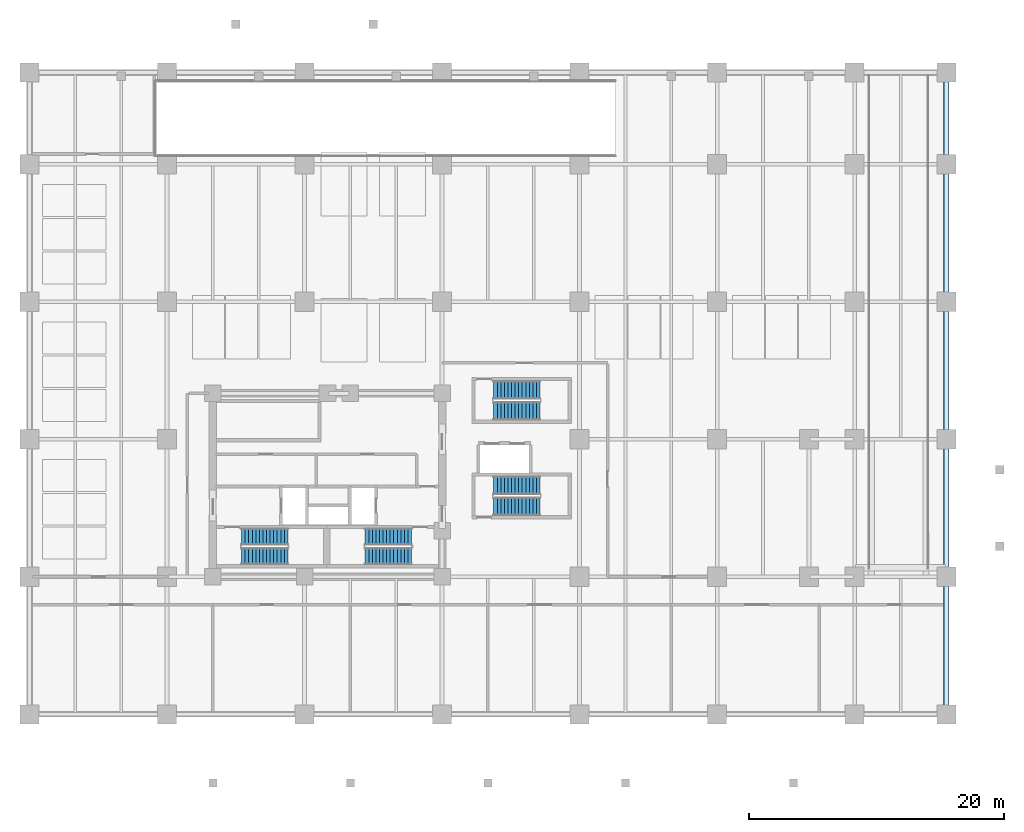
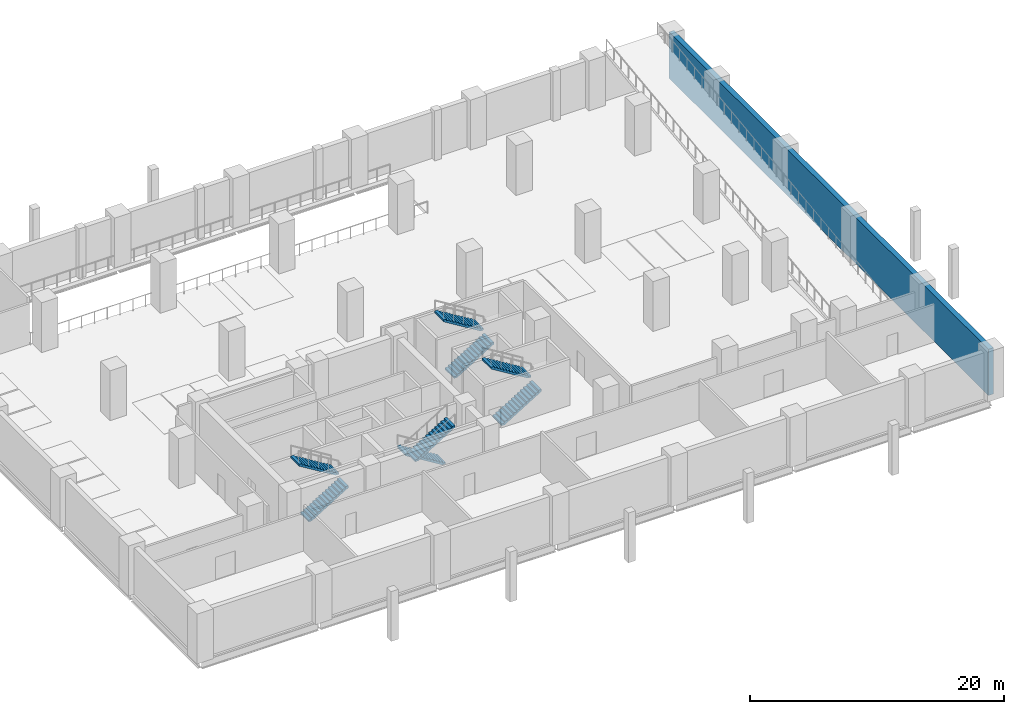
# One storey, part 5 of 8: 8 stair flights, 1 wall, 4 elements without a shape of their own.
"""IFC4 building model written with IfcOpenShell, lengths in metres."""

from ifc_helpers import new_model, si_unit, direction, frame, frame_2d, origin, place, context, subcontext, project, spatial, polyline, rectangle, outline, extrude, material, layer, layer_set, type_object, element, aggregate, save


model = new_model("IFC4")

# Units and contexts
model_context = context("Model", 3, precision=1e-05, world=origin(), true_north=direction((0.0, 1.0)))
body_context = subcontext(model_context, "Body", "Model", "MODEL_VIEW")
ifc_project = project(units=[si_unit("LENGTHUNIT", "METRE"), si_unit("AREAUNIT", "SQUARE_METRE"), si_unit("VOLUMEUNIT", "CUBIC_METRE"), si_unit("PLANEANGLEUNIT", "RADIAN"), si_unit("MASSUNIT", "GRAM", prefix="KILO")], contexts=[model_context])

# Site, building, storey
site_placement = place(None, origin())
site = spatial("IfcSite", under=ifc_project, at=site_placement, CompositionType="ELEMENT")
building_placement = place(site_placement, origin())
building = spatial("IfcBuilding", under=site, at=building_placement, Name="Solnavia Interchange Tower", CompositionType="ELEMENT")
storey_placement = place(building_placement, frame((0.0, 0.0, -4.800048828125)))
storey = spatial("IfcBuildingStorey", under=building, at=storey_placement, Name="B01", CompositionType="ELEMENT", Elevation=-4.800048828125)

# Wall
ifc_material = material(Name="Concrete C40/50", Category="concrete")
ifc_layer = layer(ifc_material, 0.449951171875)
ifc_layer_set = layer_set([ifc_layer], Name="Concrete C40/50")
wall_type = type_object("IfcWallType", Name="Wall-Retaining-450", PredefinedType="SOLIDWALL", material=ifc_layer_set)
wall_placement = place(storey_placement, frame((72.0, 0.0, 0.0), z_axis=(0.0, 0.0, 1.0), x_axis=(0.0, 1.0, 0.0)))
element("IfcWall", 1, at=wall_placement, inside=storey, type_object=wall_type, Name="RTW-B01-02 Basement perimeter retaining wall", PredefinedType="SOLIDWALL", context=body_context, shape_type="SweptSolid", body=[
    extrude(rectangle(XDim=50.39990234375, YDim=0.449951171875, at=frame_2d((25.199951171875, 0.0))), origin(), (0.0, 0.0, 1.0), 4.449951171875),
])

# Stair, stair flights
stair_type = type_object("IfcStairType", Name="Stair-Dogleg-RC", PredefinedType="HALF_TURN_STAIR", material=ifc_material)
stair_1_placement = place(storey_placement, origin())
stair_1 = element("IfcStair", 2, at=stair_1_placement, inside=storey, type_object=stair_type, Name="B01 Core exit stair 1", PredefinedType="HALF_TURN_STAIR")
stair_flight_type = type_object("IfcStairFlightType", Name="StairFlight-RC-150", PredefinedType="STRAIGHT", material=ifc_material)
stair_flight_1_placement = place(storey_placement, frame((16.64990234375, 12.409912109375, 0.0), z_axis=(0.0, 0.0, 1.0), x_axis=(1.0, 0.0, 0.0)))
stair_flight_1 = element("IfcStairFlight", 3, at=stair_flight_1_placement, type_object=stair_flight_type, Name="ST-1 flight 1", NumberOfRisers=14, NumberOfTreads=13, PredefinedType="STRAIGHT", RiserHeight=0.171428571, TreadLength=0.28, context=body_context, shape_type="SweptSolid", body=[
    extrude(outline(polyline([(0.0, 0.0), (0.0, 0.17138671875), (0.280029296875, 0.17138671875), (0.280029296875, 0.3427734375), (0.56005859375, 0.3427734375), (0.56005859375, 0.514404296875), (0.840087890625, 0.514404296875), (0.840087890625, 0.685791015625), (1.1201171875, 0.685791015625), (1.1201171875, 0.857177734375), (1.39990234375, 0.857177734375), (1.39990234375, 1.028564453125), (1.679931640625, 1.028564453125), (1.679931640625, 1.199951171875), (1.9599609375, 1.199951171875), (1.9599609375, 1.371337890625), (2.239990234375, 1.371337890625), (2.239990234375, 1.54296875), (2.52001953125, 1.54296875), (2.52001953125, 1.71435546875), (2.800048828125, 1.71435546875), (2.800048828125, 1.8857421875), (3.080078125, 1.8857421875), (3.080078125, 2.05712890625), (3.360107421875, 2.05712890625), (3.360107421875, 2.228515625), (3.639892578125, 2.228515625), (3.639892578125, 2.39990234375), (3.639892578125, 2.052734375), (0.287109375, 0.0), (0.0, 0.0)])), frame((0.0, 0.66015625, 0.0), z_axis=(0.0, -1.0, 0.0), x_axis=(1.0, 0.0, 0.0)), (0.0, 0.0, 1.0), 1.320068359375),
])
stair_flight_2_placement = place(storey_placement, frame((20.2900390625, 13.929931640625, 2.400146484375), z_axis=(0.0, 0.0, 1.0), x_axis=(-1.0, 0.0, 0.0)))
stair_flight_2 = element("IfcStairFlight", 4, at=stair_flight_2_placement, type_object=stair_flight_type, Name="ST-1 flight 2", NumberOfRisers=14, NumberOfTreads=13, PredefinedType="STRAIGHT", RiserHeight=0.171428571, TreadLength=0.28, context=body_context, shape_type="SweptSolid", body=[
    extrude(outline(polyline([(0.0, 0.0), (0.0, 0.17138671875), (0.280029296875, 0.17138671875), (0.280029296875, 0.3427734375), (0.56005859375, 0.3427734375), (0.56005859375, 0.514404296875), (0.840087890625, 0.514404296875), (0.840087890625, 0.685791015625), (1.1201171875, 0.685791015625), (1.1201171875, 0.857177734375), (1.39990234375, 0.857177734375), (1.39990234375, 1.028564453125), (1.679931640625, 1.028564453125), (1.679931640625, 1.199951171875), (1.9599609375, 1.199951171875), (1.9599609375, 1.371337890625), (2.239990234375, 1.371337890625), (2.239990234375, 1.54296875), (2.52001953125, 1.54296875), (2.52001953125, 1.71435546875), (2.800048828125, 1.71435546875), (2.800048828125, 1.8857421875), (3.080078125, 1.8857421875), (3.080078125, 2.05712890625), (3.360107421875, 2.05712890625), (3.360107421875, 2.228515625), (3.639892578125, 2.228515625), (3.639892578125, 2.39990234375), (3.639892578125, 2.052734375), (0.287109375, 0.0), (0.0, 0.0)])), frame((0.0, 0.66015625, 0.0), z_axis=(0.0, -1.0, 0.0), x_axis=(1.0, 0.0, 0.0)), (0.0, 0.0, 1.0), 1.320068359375),
])
aggregate(stair_1, [stair_flight_1, stair_flight_2])

stair_2_placement = place(storey_placement, origin())
stair_2 = element("IfcStair", 5, at=stair_2_placement, inside=storey, type_object=stair_type, Name="B01 Core exit stair 2", PredefinedType="HALF_TURN_STAIR")
stair_flight_3_placement = place(storey_placement, frame((30.0, 13.929931640625, 0.0), z_axis=(0.0, 0.0, 1.0), x_axis=(-1.0, 0.0, 0.0)))
stair_flight_3 = element("IfcStairFlight", 6, at=stair_flight_3_placement, type_object=stair_flight_type, Name="ST-2 flight 1", NumberOfRisers=14, NumberOfTreads=13, PredefinedType="STRAIGHT", RiserHeight=0.171428571, TreadLength=0.28, context=body_context, shape_type="SweptSolid", body=[
    extrude(outline(polyline([(0.0, 0.0), (0.0, 0.17138671875), (0.280029296875, 0.17138671875), (0.280029296875, 0.3427734375), (0.56005859375, 0.3427734375), (0.56005859375, 0.514404296875), (0.840087890625, 0.514404296875), (0.840087890625, 0.685791015625), (1.1201171875, 0.685791015625), (1.1201171875, 0.857177734375), (1.39990234375, 0.857177734375), (1.39990234375, 1.028564453125), (1.679931640625, 1.028564453125), (1.679931640625, 1.199951171875), (1.9599609375, 1.199951171875), (1.9599609375, 1.371337890625), (2.239990234375, 1.371337890625), (2.239990234375, 1.54296875), (2.52001953125, 1.54296875), (2.52001953125, 1.71435546875), (2.800048828125, 1.71435546875), (2.800048828125, 1.8857421875), (3.080078125, 1.8857421875), (3.080078125, 2.05712890625), (3.360107421875, 2.05712890625), (3.360107421875, 2.228515625), (3.639892578125, 2.228515625), (3.639892578125, 2.39990234375), (3.639892578125, 2.052734375), (0.287109375, 0.0), (0.0, 0.0)])), frame((0.0, 0.66015625, 0.0), z_axis=(0.0, -1.0, 0.0), x_axis=(1.0, 0.0, 0.0)), (0.0, 0.0, 1.0), 1.320068359375),
])
stair_flight_4_placement = place(storey_placement, frame((26.360107421875, 12.409912109375, 2.400146484375), z_axis=(0.0, 0.0, 1.0), x_axis=(1.0, 0.0, 0.0)))
stair_flight_4 = element("IfcStairFlight", 7, at=stair_flight_4_placement, type_object=stair_flight_type, Name="ST-2 flight 2", NumberOfRisers=14, NumberOfTreads=13, PredefinedType="STRAIGHT", RiserHeight=0.171428571, TreadLength=0.28, context=body_context, shape_type="SweptSolid", body=[
    extrude(outline(polyline([(0.0, 0.0), (0.0, 0.17138671875), (0.280029296875, 0.17138671875), (0.280029296875, 0.3427734375), (0.56005859375, 0.3427734375), (0.56005859375, 0.514404296875), (0.840087890625, 0.514404296875), (0.840087890625, 0.685791015625), (1.1201171875, 0.685791015625), (1.1201171875, 0.857177734375), (1.39990234375, 0.857177734375), (1.39990234375, 1.028564453125), (1.679931640625, 1.028564453125), (1.679931640625, 1.199951171875), (1.9599609375, 1.199951171875), (1.9599609375, 1.371337890625), (2.239990234375, 1.371337890625), (2.239990234375, 1.54296875), (2.52001953125, 1.54296875), (2.52001953125, 1.71435546875), (2.800048828125, 1.71435546875), (2.800048828125, 1.8857421875), (3.080078125, 1.8857421875), (3.080078125, 2.05712890625), (3.360107421875, 2.05712890625), (3.360107421875, 2.228515625), (3.639892578125, 2.228515625), (3.639892578125, 2.39990234375), (3.639892578125, 2.052734375), (0.287109375, 0.0), (0.0, 0.0)])), frame((0.0, 0.66015625, 0.0), z_axis=(0.0, -1.0, 0.0), x_axis=(1.0, 0.0, 0.0)), (0.0, 0.0, 1.0), 1.320068359375),
])
aggregate(stair_2, [stair_flight_3, stair_flight_4])

stair_3_placement = place(storey_placement, origin())
stair_3 = element("IfcStair", 8, at=stair_3_placement, inside=storey, type_object=stair_type, Name="B01 Podium exit stair 1", PredefinedType="HALF_TURN_STAIR")
stair_flight_5_placement = place(storey_placement, frame((36.449951171875, 16.324951171875, 0.0), z_axis=(0.0, 0.0, 1.0), x_axis=(1.0, 0.0, 0.0)))
stair_flight_5 = element("IfcStairFlight", 9, at=stair_flight_5_placement, type_object=stair_flight_type, Name="ST-P1 flight 1", NumberOfRisers=14, NumberOfTreads=13, PredefinedType="STRAIGHT", RiserHeight=0.171428571, TreadLength=0.28, context=body_context, shape_type="SweptSolid", body=[
    extrude(outline(polyline([(0.0, 0.0), (0.0, 0.17138671875), (0.280029296875, 0.17138671875), (0.280029296875, 0.3427734375), (0.56005859375, 0.3427734375), (0.56005859375, 0.514404296875), (0.840087890625, 0.514404296875), (0.840087890625, 0.685791015625), (1.1201171875, 0.685791015625), (1.1201171875, 0.857177734375), (1.39990234375, 0.857177734375), (1.39990234375, 1.028564453125), (1.679931640625, 1.028564453125), (1.679931640625, 1.199951171875), (1.9599609375, 1.199951171875), (1.9599609375, 1.371337890625), (2.239990234375, 1.371337890625), (2.239990234375, 1.54296875), (2.52001953125, 1.54296875), (2.52001953125, 1.71435546875), (2.800048828125, 1.71435546875), (2.800048828125, 1.8857421875), (3.080078125, 1.8857421875), (3.080078125, 2.05712890625), (3.360107421875, 2.05712890625), (3.360107421875, 2.228515625), (3.639892578125, 2.228515625), (3.639892578125, 2.39990234375), (3.639892578125, 2.052734375), (0.287109375, 0.0), (0.0, 0.0)])), frame((0.0, 0.72509765625, 0.0), z_axis=(0.0, -1.0, 0.0), x_axis=(1.0, 0.0, 0.0)), (0.0, 0.0, 1.0), 1.449951171875),
])
stair_flight_6_placement = place(storey_placement, frame((40.090087890625, 17.97509765625, 2.400146484375), z_axis=(0.0, 0.0, 1.0), x_axis=(-1.0, 0.0, 0.0)))
stair_flight_6 = element("IfcStairFlight", 10, at=stair_flight_6_placement, type_object=stair_flight_type, Name="ST-P1 flight 2", NumberOfRisers=14, NumberOfTreads=13, PredefinedType="STRAIGHT", RiserHeight=0.171428571, TreadLength=0.28, context=body_context, shape_type="SweptSolid", body=[
    extrude(outline(polyline([(0.0, 0.0), (0.0, 0.17138671875), (0.280029296875, 0.17138671875), (0.280029296875, 0.3427734375), (0.56005859375, 0.3427734375), (0.56005859375, 0.514404296875), (0.840087890625, 0.514404296875), (0.840087890625, 0.685791015625), (1.1201171875, 0.685791015625), (1.1201171875, 0.857177734375), (1.39990234375, 0.857177734375), (1.39990234375, 1.028564453125), (1.679931640625, 1.028564453125), (1.679931640625, 1.199951171875), (1.9599609375, 1.199951171875), (1.9599609375, 1.371337890625), (2.239990234375, 1.371337890625), (2.239990234375, 1.54296875), (2.52001953125, 1.54296875), (2.52001953125, 1.71435546875), (2.800048828125, 1.71435546875), (2.800048828125, 1.8857421875), (3.080078125, 1.8857421875), (3.080078125, 2.05712890625), (3.360107421875, 2.05712890625), (3.360107421875, 2.228515625), (3.639892578125, 2.228515625), (3.639892578125, 2.39990234375), (3.639892578125, 2.052734375), (0.287109375, 0.0), (0.0, 0.0)])), frame((0.0, 0.72509765625, 0.0), z_axis=(0.0, -1.0, 0.0), x_axis=(1.0, 0.0, 0.0)), (0.0, 0.0, 1.0), 1.449951171875),
])
aggregate(stair_3, [stair_flight_5, stair_flight_6])

stair_4_placement = place(storey_placement, origin())
stair_4 = element("IfcStair", 11, at=stair_4_placement, inside=storey, type_object=stair_type, Name="B01 Podium exit stair 2", PredefinedType="HALF_TURN_STAIR")
stair_flight_7_placement = place(storey_placement, frame((36.449951171875, 23.824951171875, 0.0), z_axis=(0.0, 0.0, 1.0), x_axis=(1.0, 0.0, 0.0)))
stair_flight_7 = element("IfcStairFlight", 12, at=stair_flight_7_placement, type_object=stair_flight_type, Name="ST-P2 flight 1", NumberOfRisers=14, NumberOfTreads=13, PredefinedType="STRAIGHT", RiserHeight=0.171428571, TreadLength=0.28, context=body_context, shape_type="SweptSolid", body=[
    extrude(outline(polyline([(0.0, 0.0), (0.0, 0.17138671875), (0.280029296875, 0.17138671875), (0.280029296875, 0.3427734375), (0.56005859375, 0.3427734375), (0.56005859375, 0.514404296875), (0.840087890625, 0.514404296875), (0.840087890625, 0.685791015625), (1.1201171875, 0.685791015625), (1.1201171875, 0.857177734375), (1.39990234375, 0.857177734375), (1.39990234375, 1.028564453125), (1.679931640625, 1.028564453125), (1.679931640625, 1.199951171875), (1.9599609375, 1.199951171875), (1.9599609375, 1.371337890625), (2.239990234375, 1.371337890625), (2.239990234375, 1.54296875), (2.52001953125, 1.54296875), (2.52001953125, 1.71435546875), (2.800048828125, 1.71435546875), (2.800048828125, 1.8857421875), (3.080078125, 1.8857421875), (3.080078125, 2.05712890625), (3.360107421875, 2.05712890625), (3.360107421875, 2.228515625), (3.639892578125, 2.228515625), (3.639892578125, 2.39990234375), (3.639892578125, 2.052734375), (0.287109375, 0.0), (0.0, 0.0)])), frame((0.0, 0.72509765625, 0.0), z_axis=(0.0, -1.0, 0.0), x_axis=(1.0, 0.0, 0.0)), (0.0, 0.0, 1.0), 1.449951171875),
])
stair_flight_8_placement = place(storey_placement, frame((40.090087890625, 25.47509765625, 2.400146484375), z_axis=(0.0, 0.0, 1.0), x_axis=(-1.0, 0.0, 0.0)))
stair_flight_8 = element("IfcStairFlight", 13, at=stair_flight_8_placement, type_object=stair_flight_type, Name="ST-P2 flight 2", NumberOfRisers=14, NumberOfTreads=13, PredefinedType="STRAIGHT", RiserHeight=0.171428571, TreadLength=0.28, context=body_context, shape_type="SweptSolid", body=[
    extrude(outline(polyline([(0.0, 0.0), (0.0, 0.17138671875), (0.280029296875, 0.17138671875), (0.280029296875, 0.3427734375), (0.56005859375, 0.3427734375), (0.56005859375, 0.514404296875), (0.840087890625, 0.514404296875), (0.840087890625, 0.685791015625), (1.1201171875, 0.685791015625), (1.1201171875, 0.857177734375), (1.39990234375, 0.857177734375), (1.39990234375, 1.028564453125), (1.679931640625, 1.028564453125), (1.679931640625, 1.199951171875), (1.9599609375, 1.199951171875), (1.9599609375, 1.371337890625), (2.239990234375, 1.371337890625), (2.239990234375, 1.54296875), (2.52001953125, 1.54296875), (2.52001953125, 1.71435546875), (2.800048828125, 1.71435546875), (2.800048828125, 1.8857421875), (3.080078125, 1.8857421875), (3.080078125, 2.05712890625), (3.360107421875, 2.05712890625), (3.360107421875, 2.228515625), (3.639892578125, 2.228515625), (3.639892578125, 2.39990234375), (3.639892578125, 2.052734375), (0.287109375, 0.0), (0.0, 0.0)])), frame((0.0, 0.72509765625, 0.0), z_axis=(0.0, -1.0, 0.0), x_axis=(1.0, 0.0, 0.0)), (0.0, 0.0, 1.0), 1.449951171875),
])
aggregate(stair_4, [stair_flight_7, stair_flight_8])

save(model, "model.ifc")
